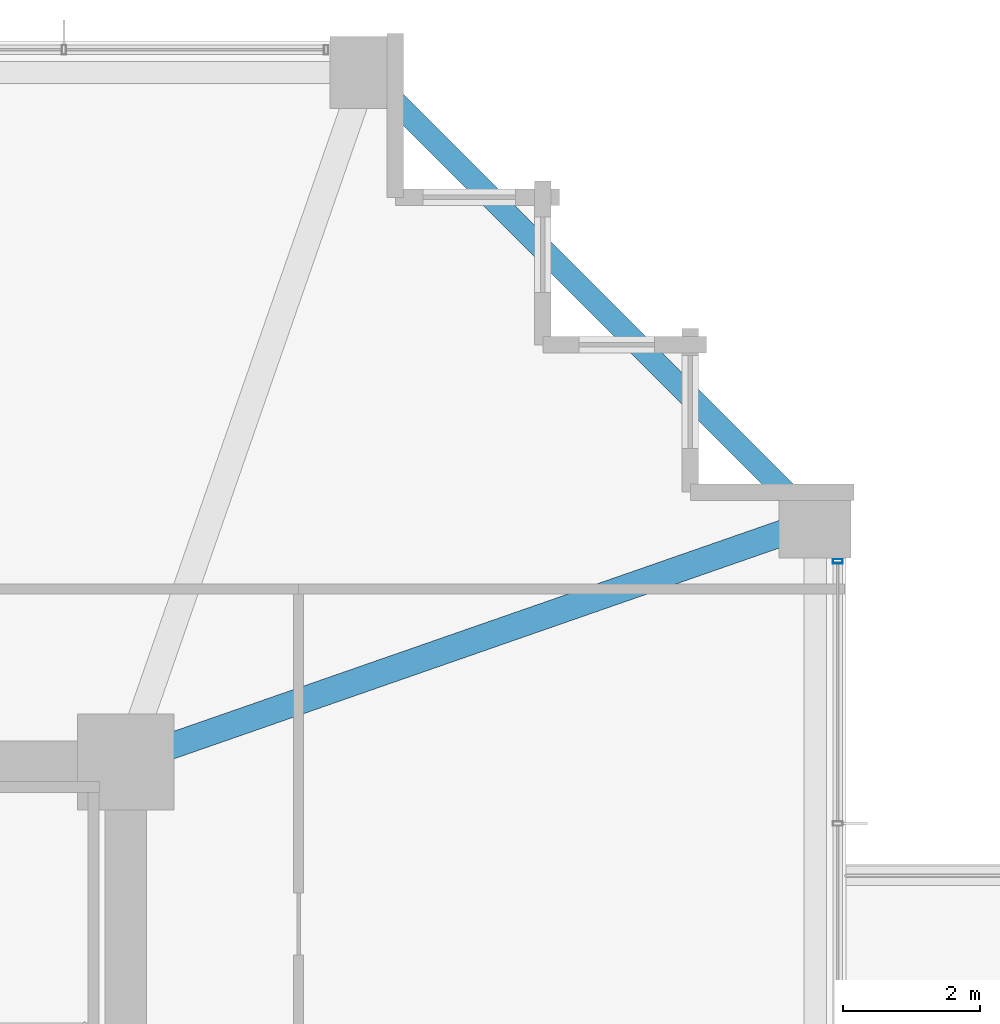
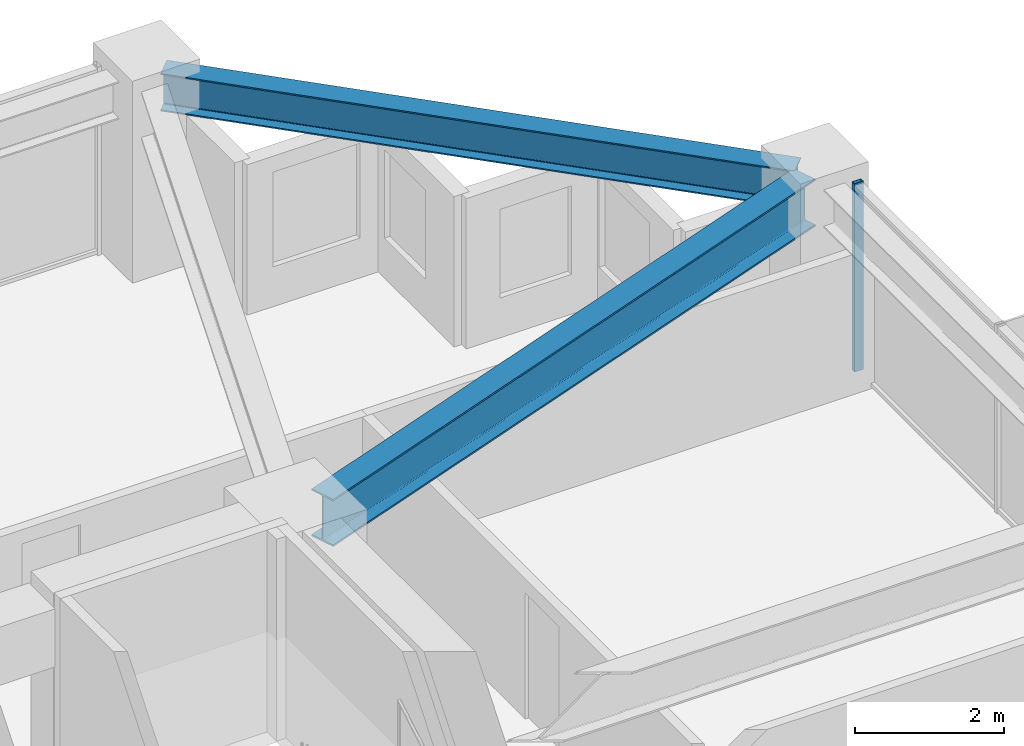
# One storey, part 23 of 36: 2 beams, 1 member, 1 element without a shape of its own.
"""IFC4 building model written with IfcOpenShell, lengths in metres."""

from ifc_helpers import new_model, si_unit, direction, frame, origin, origin_2d, place, context, subcontext, project, spatial, hollow_rectangle, i_section, extrude, material, material_profile, profile_set, type_object, element, aggregate, save


model = new_model("IFC4")

# Units and contexts
model_context = context("Model", 3, precision=1e-05, world=origin(), true_north=direction((0.0, 1.0)))
body_context = subcontext(model_context, "Body", "Model", "MODEL_VIEW")
ifc_project = project(units=[si_unit("LENGTHUNIT", "METRE"), si_unit("AREAUNIT", "SQUARE_METRE"), si_unit("VOLUMEUNIT", "CUBIC_METRE"), si_unit("PLANEANGLEUNIT", "RADIAN"), si_unit("MASSUNIT", "GRAM", prefix="KILO")], contexts=[model_context])

# Site, building, storey
site_placement = place(None, origin())
site = spatial("IfcSite", under=ifc_project, at=site_placement, CompositionType="ELEMENT")
building_placement = place(site_placement, origin())
building = spatial("IfcBuilding", under=site, at=building_placement, Name="Kolvaren Belvedere", CompositionType="ELEMENT")
storey_placement = place(building_placement, frame((0.0, 0.0, 95.300048828125)))
storey = spatial("IfcBuildingStorey", under=building, at=storey_placement, Name="L27", CompositionType="ELEMENT", Elevation=95.300048828125)

# Beams
ifc_material_1 = material(Name="Structural steel ASTM A992 Grade 50", Category="steel")
ifc_material_profile_1 = material_profile(ifc_material_1, i_section(OverallWidth=0.381103515625, OverallDepth=0.77294921875, WebThickness=0.0166015625, FlangeThickness=0.027099609375, FilletRadius=0.02392578125, at=origin_2d()), Name="W30X173")
ifc_profile_set_1 = profile_set([ifc_material_profile_1], Name="Structural steel ASTM A992 Grade 50")
beam_type_1 = type_object("IfcBeamType", Name="BM-GIRD-W30X173", PredefinedType="BEAM", material=ifc_profile_set_1)
beam_1_placement = place(storey_placement, frame((10.41943359375, 10.080810546875, 2.693359375), z_axis=(0.944371408538, 0.328880894453, 0.0), x_axis=(-0.328880894453, 0.944371408538, 0.0)))
element("IfcBeam", 1, at=beam_1_placement, inside=storey, type_object=beam_type_1, Name="L27 Corner Core-to-Perimeter Girder CC3-E4", PredefinedType="BEAM", context=body_context, shape_type="SweptSolid", body=[
    extrude(i_section(OverallWidth=0.381103515625, OverallDepth=0.77294921875, WebThickness=0.0166015625, FlangeThickness=0.027099609375, FilletRadius=0.02392578125, at=origin_2d()), origin(), (0.0, 0.0, 1.0), 9.882080078125),
])
ifc_material_2 = material(Name="Structural steel ASTM A992 Grade 50", Category="steel")
ifc_material_profile_2 = material_profile(ifc_material_2, i_section(OverallWidth=0.324951171875, OverallDepth=0.615966796875, WebThickness=0.013916015625, FlangeThickness=0.021484375, FilletRadius=0.02001953125, at=origin_2d()), Name="W24X117")
ifc_profile_set_2 = profile_set([ifc_material_profile_2], Name="Structural steel ASTM A992 Grade 50")
beam_type_2 = type_object("IfcBeamType", Name="BM-SPAN-W24X117", PredefinedType="SPANDREL", material=ifc_profile_set_2)
beam_2_placement = place(storey_placement, frame((19.782958984375, 13.567138671875, 2.77197265625), z_axis=(-0.707106781187, 0.707106781187, 0.0), x_axis=(-0.707106781187, -0.707106781187, 0.0)))
element("IfcBeam", 2, at=beam_2_placement, inside=storey, type_object=beam_type_2, Name="L27 Perimeter Spandrel E4-N4", PredefinedType="SPANDREL", context=body_context, shape_type="SweptSolid", body=[
    extrude(i_section(OverallWidth=0.324951171875, OverallDepth=0.615966796875, WebThickness=0.013916015625, FlangeThickness=0.021484375, FilletRadius=0.02001953125, at=origin_2d()), origin(), (0.0, 0.0, 1.0), 8.79052734375),
])

# Curtain wall, member
ifc_material_3 = material(Name="Anodised pale-metal aluminium AA 6063-T6", Category="aluminium")
curtain_wall_type = type_object("IfcCurtainWallType", Name="CW-Z2-MID", PredefinedType="NOTDEFINED", material=ifc_material_3)
curtain_wall_placement = place(storey_placement, origin())
curtain_wall = element("IfcCurtainWall", 3, at=curtain_wall_placement, inside=storey, type_object=curtain_wall_type, Name="L27 Unitised Curtain Wall FCW-L27-E1-B1", PredefinedType="NOTDEFINED")
ifc_material_4 = material(Name="Anodised pale-metal aluminium AA 6063-T6", Category="aluminium")
ifc_material_profile_3 = material_profile(ifc_material_4, hollow_rectangle(XDim=0.06494140625, YDim=0.139892578125, WallThickness=0.00390625, at=origin_2d()), Name="ALU-MUL-140X65")
ifc_profile_set_3 = profile_set([ifc_material_profile_3], Name="Anodised pale-metal aluminium AA 6063-T6")
member_type = type_object("IfcMemberType", Name="CW-MUL-140", PredefinedType="MULLION", material=ifc_profile_set_3)
member_placement = place(storey_placement, frame((20.280029296875, 12.822509765625, 0.0), z_axis=(0.0, 0.0, 1.0), x_axis=(0.0, 1.0, 0.0)))
member = element("IfcMember", 4, at=member_placement, type_object=member_type, Name="FCW-L27-E1-B1 Unitised Mullion 1", PredefinedType="MULLION", context=body_context, shape_type="SweptSolid", body=[
    extrude(hollow_rectangle(XDim=0.06494140625, YDim=0.139892578125, WallThickness=0.00390625, at=origin_2d()), origin(), (0.0, 0.0, 1.0), 3.079833984375),
])
aggregate(curtain_wall, [member])

save(model, "model.ifc")
